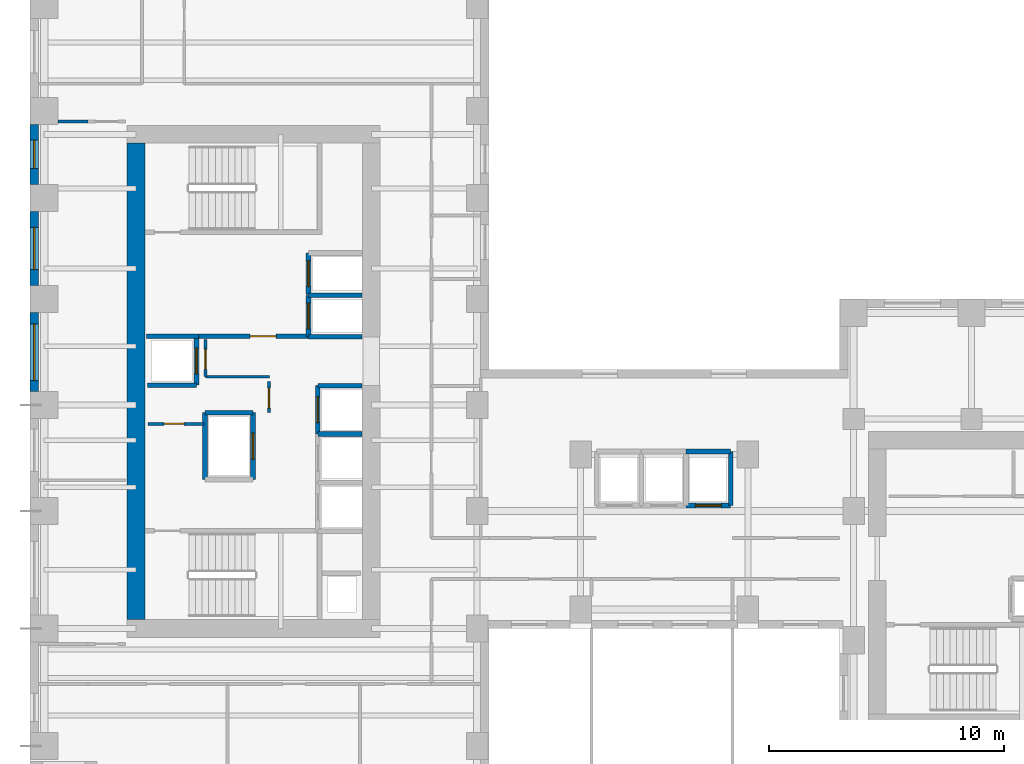
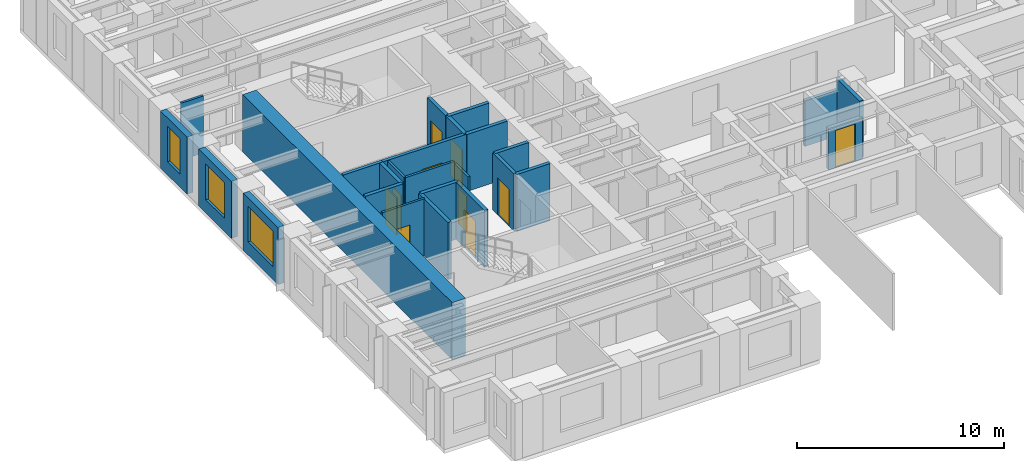
# One storey, part 5 of 11: 26 walls, 10 doors, 3 windows, 13 openings.
"""IFC4 building model written with IfcOpenShell, lengths in metres."""

import ifcopenshell
import ifcopenshell.guid

model = None  # the IFC model being written
_history = None  # IfcOwnerHistory: only IFC2X3 demands one
_inside = {}  # id of a spatial element -> (the spatial element, [elements in it])
_under = {}  # id of a project, library or spatial element -> (it, [spatial elements below it])
_declared = {}  # id of a project -> (the project, [libraries it declares])
_typed = {}  # id of a type object -> (the type object, [elements of that type])
_made_of = {}  # id of a material, layer set ... -> (it, [elements and type objects made of it])


def new_model(schema):
    """Start an empty IFC model of exactly this schema.

    Asked for "IFC4X3", IfcOpenShell would pick the latest addendum, in which some entities
    have other attributes; the version numbers below select the first issue.
    IFC2X3 requires an IfcOwnerHistory on every rooted entity: one is made here for all.
    """
    global model, _history
    if schema == "IFC4X3":
        model = ifcopenshell.file(schema_version=(4, 3, 0, 0))
    else:
        model = ifcopenshell.file(schema=schema)
    _inside.clear()
    _under.clear()
    _declared.clear()
    _typed.clear()
    _made_of.clear()
    _history = None
    if model.schema == "IFC2X3":
        org = make("IfcOrganization", Name="unknown")
        user = make(
            "IfcPersonAndOrganization",
            ThePerson=make("IfcPerson", FamilyName="unknown"),
            TheOrganization=org,
        )
        app = make(
            "IfcApplication",
            ApplicationDeveloper=org,
            Version="unknown",
            ApplicationFullName="unknown",
            ApplicationIdentifier="unknown",
        )
        _history = make(
            "IfcOwnerHistory",
            OwningUser=user,
            OwningApplication=app,
            ChangeAction="ADDED",
            CreationDate=0,
        )
    return model


def make(cls, **values):
    """One entity of the class cls with the attributes given. An attribute that is None is left unset."""
    return model.create_entity(
        cls, **{name: value for name, value in values.items() if value is not None}
    )


def rooted(cls, **values):
    """An entity with a GlobalId (a new one), such as an element, a storey or a relation."""
    return make(cls, GlobalId=ifcopenshell.guid.new(), OwnerHistory=_history, **values)


def si_unit(unit_type, name, prefix=None):
    """IfcSIUnit, for example si_unit("LENGTHUNIT", "METRE", prefix="MILLI")."""
    return make("IfcSIUnit", UnitType=unit_type, Prefix=prefix, Name=name)


def assignment(units):
    """IfcUnitAssignment: the units of a project."""
    return None if units is None else make("IfcUnitAssignment", Units=units)


def point(xyz):
    """IfcCartesianPoint."""
    return None if xyz is None else make("IfcCartesianPoint", Coordinates=xyz)


def direction(xyz):
    """IfcDirection."""
    return None if xyz is None else make("IfcDirection", DirectionRatios=xyz)


def frame(location, z_axis=None, x_axis=None):
    """IfcAxis2Placement3D, a coordinate frame: its origin and axes. An axis left out is left unset."""
    return make(
        "IfcAxis2Placement3D",
        Location=point(location),
        Axis=direction(z_axis),
        RefDirection=direction(x_axis),
    )


def frame_2d(location, x_axis=None):
    """IfcAxis2Placement2D, a coordinate frame in the plane: its origin and x axis."""
    return make(
        "IfcAxis2Placement2D", Location=point(location), RefDirection=direction(x_axis)
    )


def origin():
    """The frame at (0, 0, 0) with its axes left unset."""
    return frame((0.0, 0.0, 0.0))


def place(relative_to, where):
    """IfcLocalPlacement: puts the frame where relative to a parent placement (None: the world)."""
    return make(
        "IfcLocalPlacement", PlacementRelTo=relative_to, RelativePlacement=where
    )


def context(
    kind, dimensions, precision=None, world=None, true_north=None, identifier=None
):
    """IfcGeometricRepresentationContext, for example the 3D "Model" context."""
    return make(
        "IfcGeometricRepresentationContext",
        ContextIdentifier=identifier,
        ContextType=kind,
        CoordinateSpaceDimension=dimensions,
        Precision=precision,
        WorldCoordinateSystem=world,
        TrueNorth=true_north,
    )


def subcontext(parent, identifier, kind, view, scale=None):
    """IfcGeometricRepresentationSubContext, for example "Body" below "Model"."""
    return make(
        "IfcGeometricRepresentationSubContext",
        ContextIdentifier=identifier,
        ContextType=kind,
        ParentContext=parent,
        TargetScale=scale,
        TargetView=view,
    )


def project(units=None, contexts=None):
    """IfcProject with its units and contexts."""
    return rooted(
        "IfcProject",
        Name="project",
        RepresentationContexts=contexts,
        UnitsInContext=assignment(units),
    )


def spatial(cls, under=None, at=None, **own):
    """A site, building, storey or space (cls), placed at a placement, below another one or the project."""
    s = rooted(cls, ObjectPlacement=at, **own)
    if under is not None:
        _under.setdefault(under.id(), (under, []))[1].append(s)
    return s


def profile(cls, at=None, kind="AREA", **sizes):
    """A parametric profile (cls). Its sizes go by their IFC names, for example OverallWidth=200.0."""
    return make(cls, ProfileType=kind, Position=at, **sizes)


def rectangle(**sizes):
    """IfcRectangleProfileDef."""
    return profile("IfcRectangleProfileDef", **sizes)


def extrude(swept, where, along, depth):
    """IfcExtrudedAreaSolid: the profile swept, set in the frame where, extruded along a direction by depth."""
    return make(
        "IfcExtrudedAreaSolid",
        SweptArea=swept,
        Position=where,
        ExtrudedDirection=direction(along),
        Depth=depth,
    )


def shape(context_of_items, identifier, shape_type, items):
    """IfcShapeRepresentation: the items that make up one representation, for example the "Body"."""
    return make(
        "IfcShapeRepresentation",
        ContextOfItems=context_of_items,
        RepresentationIdentifier=identifier,
        RepresentationType=shape_type,
        Items=items,
    )


def source(mapping_origin, context_of_items, identifier, shape_type, items):
    """IfcRepresentationMap: a shape defined once, which mapped items show again and again."""
    return make(
        "IfcRepresentationMap",
        MappingOrigin=mapping_origin,
        MappedRepresentation=shape(context_of_items, identifier, shape_type, items),
    )


def transform(
    local_origin,
    x_axis=None,
    y_axis=None,
    z_axis=None,
    scale=None,
    scale2=None,
    scale3=None,
    uniform=True,
):
    """IfcCartesianTransformationOperator3D, or its non-uniform kind. x_axis, y_axis, z_axis: its Axis1, 2, 3."""
    if uniform:
        return make(
            "IfcCartesianTransformationOperator3D",
            Axis1=direction(x_axis),
            Axis2=direction(y_axis),
            LocalOrigin=point(local_origin),
            Scale=scale,
            Axis3=direction(z_axis),
        )
    return make(
        "IfcCartesianTransformationOperator3DnonUniform",
        Axis1=direction(x_axis),
        Axis2=direction(y_axis),
        LocalOrigin=point(local_origin),
        Scale=scale,
        Axis3=direction(z_axis),
        Scale2=scale2,
        Scale3=scale3,
    )


def mapped(mapping_source, mapping_target):
    """IfcMappedItem: shows the shape of a source again, moved by a transform."""
    return make(
        "IfcMappedItem", MappingSource=mapping_source, MappingTarget=mapping_target
    )


def material(Name=None, Category=None):
    """IfcMaterial."""
    return make("IfcMaterial", Name=Name, Category=Category)


def layer(
    of_material, thickness, ventilated=None, Name=None, Category=None, Priority=None
):
    """IfcMaterialLayer: one layer of a wall or slab, of a material (None: an air gap)."""
    return make(
        "IfcMaterialLayer",
        Material=of_material,
        LayerThickness=thickness,
        IsVentilated=ventilated,
        Name=Name,
        Category=Category,
        Priority=Priority,
    )


def layer_set(layers, Name=None):
    """IfcMaterialLayerSet."""
    return make("IfcMaterialLayerSet", MaterialLayers=layers, LayerSetName=Name)


def made_of(thing, what):
    """Note that an element or type object is made of a material, layer set ...; save() writes the relation."""
    if what is not None:
        _made_of.setdefault(what.id(), (what, []))[1].append(thing)
    return thing


def type_object(cls, material=None, **own):
    """A type object (cls), such as IfcWallType, which elements share."""
    return made_of(rooted(cls, **own), material)


def element(
    cls,
    number,
    at=None,
    inside=None,
    cuts=None,
    type_object=None,
    material=None,
    context=None,
    identifier="Body",
    shape_type=None,
    held_by="IfcProductDefinitionShape",
    body=None,
    shapes=None,
    **own,
):
    """One element of the class cls, such as IfcWall. Its Tag is "e" and its number.

    at: its placement. inside: the storey or other place that contains it. cuts: it is an
    opening in that element (IfcRelVoidsElement). A single representation is given by context,
    identifier, shape_type and body (its items); several are given by shapes. held_by: the class
    of the entity that holds the representations. save() writes the other relations.
    """
    e = rooted(cls, Tag="e%d" % number, ObjectPlacement=at, **own)
    if body is not None:
        shapes = [shape(context, identifier, shape_type, body)]
    if shapes is not None:
        e.Representation = make(held_by, Representations=shapes)
    if inside is not None:
        _inside.setdefault(inside.id(), (inside, []))[1].append(e)
    if cuts is not None:
        rooted(
            "IfcRelVoidsElement", RelatingBuildingElement=cuts, RelatedOpeningElement=e
        )
    if type_object is not None:
        _typed.setdefault(type_object.id(), (type_object, []))[1].append(e)
    return made_of(e, material)


def fill(opening, filler):
    """IfcRelFillsElement: the door or window that sits in an opening."""
    return rooted(
        "IfcRelFillsElement",
        RelatingOpeningElement=opening,
        RelatedBuildingElement=filler,
    )


def aggregate(whole, parts):
    """IfcRelAggregates: a whole, such as a stair, and the parts it consists of."""
    return rooted("IfcRelAggregates", RelatingObject=whole, RelatedObjects=parts)


def save(model, path):
    """Write the relations noted so far, then the file.

    IfcRelAggregates (storeys below a building ...), IfcRelContainedInSpatialStructure (elements
    in a storey), IfcRelDefinesByType, IfcRelAssociatesMaterial and IfcRelDeclares: one each for
    every whole, place, type object, material and project.
    """
    for whole, parts in _under.values():
        aggregate(whole, parts)
    for where, things in _inside.values():
        rooted(
            "IfcRelContainedInSpatialStructure",
            RelatedElements=things,
            RelatingStructure=where,
        )
    for kind, things in _typed.values():
        rooted("IfcRelDefinesByType", RelatedObjects=things, RelatingType=kind)
    for what, things in _made_of.values():
        rooted("IfcRelAssociatesMaterial", RelatedObjects=things, RelatingMaterial=what)
    for by, libraries in _declared.values():
        rooted("IfcRelDeclares", RelatingContext=by, RelatedDefinitions=libraries)
    model.write(path)


model = new_model("IFC4")

# Units and contexts
model_context = context("Model", 3, precision=1e-05, world=origin(), true_north=direction((0.0, 1.0)))
body_context = subcontext(model_context, "Body", "Model", "MODEL_VIEW")
ifc_project = project(units=[si_unit("LENGTHUNIT", "METRE"), si_unit("AREAUNIT", "SQUARE_METRE"), si_unit("VOLUMEUNIT", "CUBIC_METRE"), si_unit("PLANEANGLEUNIT", "RADIAN"), si_unit("MASSUNIT", "GRAM", prefix="KILO")], contexts=[model_context])

# Site, building, storey
site_placement = place(None, origin())
site = spatial("IfcSite", under=ifc_project, at=site_placement, CompositionType="ELEMENT")
building_placement = place(site_placement, origin())
building = spatial("IfcBuilding", under=site, at=building_placement, Name="Kharzan Plaza Tower", CompositionType="ELEMENT")
storey_placement = place(building_placement, frame((0.0, 0.0, 120.60009765625)))
storey = spatial("IfcBuildingStorey", under=building, at=storey_placement, Name="L32", CompositionType="ELEMENT", Elevation=120.60009765625)

# Wall, opening, window
ifc_material_1 = material(Name="Concrete C40/50", Category="concrete")
ifc_layer_1 = layer(ifc_material_1, 0.35009765625)
ifc_layer_set_1 = layer_set([ifc_layer_1], Name="Concrete C40/50")
wall_type_1 = type_object("IfcWallType", Name="WL-EXT-MAS-Z2", PredefinedType="SOLIDWALL", material=ifc_layer_set_1)
wall_1_placement = place(storey_placement, frame((0.175048828125, 29.927001953125, 0.0), z_axis=(0.0, 0.0, 1.0), x_axis=(0.0, -1.0, 0.0)))
wall_1 = element("IfcWall", 1, at=wall_1_placement, inside=storey, type_object=wall_type_1, Name="L32 Masonry-Frame Exterior Wall 20", PredefinedType="SOLIDWALL", context=body_context, shape_type="SweptSolid", body=[
    extrude(rectangle(XDim=2.553955078125, YDim=0.35009765625, at=frame_2d((1.27685546875, 0.0))), origin(), (0.0, 0.0, 1.0), 3.364990234375),
])
opening_1_placement = place(wall_1_placement, frame((0.677001953125, 0.0, 0.780029296875)))
opening_1 = element("IfcOpeningElement", 2, at=opening_1_placement, cuts=wall_1, Name="Opening W3", PredefinedType="OPENING", context=body_context, shape_type="SweptSolid", body=[
    extrude(rectangle(XDim=1.199951171875, YDim=2.10009765625, at=frame_2d((0.60009765625, 1.050048828125))), frame((0.0, 0.18505859375, 0.0), z_axis=(0.0, -1.0, 0.0), x_axis=(1.0, 0.0, 0.0)), (0.0, 0.0, 1.0), 0.3701171875),
])
ifc_material_2 = material(Name="Low-E Double Glazing", Category="glass")
window_type_1 = type_object("IfcWindowType", Name="WN-REC-1200x2100", PartitioningType="SINGLE_PANEL", PredefinedType="WINDOW", material=ifc_material_2)
shared_shape_1 = source(origin(), body_context, "Body", "SweptSolid", [
    extrude(rectangle(XDim=1.199951171875, YDim=2.10009765625, at=frame_2d((0.60009765625, 1.050048828125))), frame((0.0, 0.030029296875, 0.0), z_axis=(0.0, -1.0, 0.0), x_axis=(1.0, 0.0, 0.0)), (0.0, 0.0, 1.0), 0.06005859375),
])
window_1_placement = place(opening_1_placement, origin())
window_1 = element("IfcWindow", 3, at=window_1_placement, inside=storey, type_object=window_type_1, Name="L32 Recessed Solar-Control Window 20-1", OverallHeight=2.10009765625, OverallWidth=1.199951171875, PartitioningType="SINGLE_PANEL", PredefinedType="WINDOW", context=body_context, shape_type="MappedRepresentation", body=[
    mapped(shared_shape_1, transform((0.0, 0.0, 0.0), x_axis=(1.0, 0.0, 0.0), y_axis=(0.0, 1.0, 0.0), z_axis=(0.0, 0.0, 1.0))),
])
fill(opening_1, window_1)

wall_2_placement = place(storey_placement, frame((0.175048828125, 26.22705078125, 0.0), z_axis=(0.0, 0.0, 1.0), x_axis=(0.0, -1.0, 0.0)))
wall_2 = element("IfcWall", 4, at=wall_2_placement, inside=storey, type_object=wall_type_1, Name="L32 Masonry-Frame Exterior Wall 21", PredefinedType="SOLIDWALL", context=body_context, shape_type="SweptSolid", body=[
    extrude(rectangle(XDim=3.154052734375, YDim=0.35009765625, at=frame_2d((1.5771484375, 0.0))), origin(), (0.0, 0.0, 1.0), 3.364990234375),
])
opening_2_placement = place(wall_2_placement, frame((0.677001953125, 0.0, 0.780029296875)))
opening_2 = element("IfcOpeningElement", 5, at=opening_2_placement, cuts=wall_2, Name="Opening W1", PredefinedType="OPENING", context=body_context, shape_type="SweptSolid", body=[
    extrude(rectangle(XDim=1.800048828125, YDim=2.10009765625, at=frame_2d((0.89990234375, 1.050048828125))), frame((0.0, 0.18505859375, 0.0), z_axis=(0.0, -1.0, 0.0), x_axis=(1.0, 0.0, 0.0)), (0.0, 0.0, 1.0), 0.3701171875),
])
window_type_2 = type_object("IfcWindowType", Name="WN-REC-1800x2100", PartitioningType="SINGLE_PANEL", PredefinedType="WINDOW", material=ifc_material_2)
shared_shape_2 = source(origin(), body_context, "Body", "SweptSolid", [
    extrude(rectangle(XDim=1.800048828125, YDim=2.10009765625, at=frame_2d((0.89990234375, 1.050048828125))), frame((0.0, 0.030029296875, 0.0), z_axis=(0.0, -1.0, 0.0), x_axis=(1.0, 0.0, 0.0)), (0.0, 0.0, 1.0), 0.06005859375),
])
window_2_placement = place(opening_2_placement, origin())
window_2 = element("IfcWindow", 6, at=window_2_placement, inside=storey, type_object=window_type_2, Name="L32 Recessed Solar-Control Window 21-1", OverallHeight=2.10009765625, OverallWidth=1.800048828125, PartitioningType="SINGLE_PANEL", PredefinedType="WINDOW", context=body_context, shape_type="MappedRepresentation", body=[
    mapped(shared_shape_2, transform((0.0, 0.0, 0.0), x_axis=(1.0, 0.0, 0.0), y_axis=(0.0, 1.0, 0.0), z_axis=(0.0, 0.0, 1.0))),
])
fill(opening_2, window_2)

wall_3_placement = place(storey_placement, frame((0.175048828125, 21.927001953125, 0.0), z_axis=(0.0, 0.0, 1.0), x_axis=(0.0, -1.0, 0.0)))
wall_3 = element("IfcWall", 7, at=wall_3_placement, inside=storey, type_object=wall_type_1, Name="L32 Masonry-Frame Exterior Wall 22", PredefinedType="SOLIDWALL", context=body_context, shape_type="SweptSolid", body=[
    extrude(rectangle(XDim=3.35400390625, YDim=0.35009765625, at=frame_2d((1.677001953125, 0.0))), origin(), (0.0, 0.0, 1.0), 3.364990234375),
])
opening_3_placement = place(wall_3_placement, frame((0.47705078125, 0.0, 0.780029296875)))
opening_3 = element("IfcOpeningElement", 8, at=opening_3_placement, cuts=wall_3, Name="Opening W2", PredefinedType="OPENING", context=body_context, shape_type="SweptSolid", body=[
    extrude(rectangle(XDim=2.39990234375, YDim=2.10009765625, at=frame_2d((1.199951171875, 1.050048828125))), frame((0.0, 0.18505859375, 0.0), z_axis=(0.0, -1.0, 0.0), x_axis=(1.0, 0.0, 0.0)), (0.0, 0.0, 1.0), 0.3701171875),
])
window_type_3 = type_object("IfcWindowType", Name="WN-REC-2400x2100", PartitioningType="SINGLE_PANEL", PredefinedType="WINDOW", material=ifc_material_2)
shared_shape_3 = source(origin(), body_context, "Body", "SweptSolid", [
    extrude(rectangle(XDim=2.39990234375, YDim=2.10009765625, at=frame_2d((1.199951171875, 1.050048828125))), frame((0.0, 0.030029296875, 0.0), z_axis=(0.0, -1.0, 0.0), x_axis=(1.0, 0.0, 0.0)), (0.0, 0.0, 1.0), 0.06005859375),
])
window_3_placement = place(opening_3_placement, origin())
window_3 = element("IfcWindow", 9, at=window_3_placement, inside=storey, type_object=window_type_3, Name="L32 Wide Recessed Solar-Control Window 22-1", OverallHeight=2.10009765625, OverallWidth=2.39990234375, PartitioningType="SINGLE_PANEL", PredefinedType="WINDOW", context=body_context, shape_type="MappedRepresentation", body=[
    mapped(shared_shape_3, transform((0.0, 0.0, 0.0), x_axis=(1.0, 0.0, 0.0), y_axis=(0.0, 1.0, 0.0), z_axis=(0.0, 0.0, 1.0))),
])
fill(opening_3, window_3)

# Wall, opening, door
ifc_layer_2 = layer(ifc_material_1, 0.179931640625)
ifc_layer_set_2 = layer_set([ifc_layer_2], Name="Concrete C40/50")
wall_type_2 = type_object("IfcWallType", Name="WL-INT-FIRE-180", PredefinedType="PARTITIONING", material=ifc_layer_set_2)
wall_4_placement = place(storey_placement, frame((7.14990234375, 20.919921875, 0.0), z_axis=(0.0, 0.0, 1.0), x_axis=(1.0, 0.0, 0.0)))
wall_4 = element("IfcWall", 10, at=wall_4_placement, inside=storey, type_object=wall_type_2, Name="L32 Interior Partition CA-FF-S", PredefinedType="PARTITIONING", context=body_context, shape_type="SweptSolid", body=[
    extrude(rectangle(XDim=4.68017578125, YDim=0.179931640625, at=frame_2d((2.340087890625, 0.0))), origin(), (0.0, 0.0, 1.0), 3.364990234375),
])
opening_4_placement = place(wall_4_placement, frame((2.199951171875, 0.0, 0.0)))
opening_4 = element("IfcOpeningElement", 11, at=opening_4_placement, cuts=wall_4, Name="Opening FD1", PredefinedType="OPENING", context=body_context, shape_type="SweptSolid", body=[
    extrude(rectangle(XDim=1.10009765625, YDim=2.14990234375, at=frame_2d((0.550048828125, 1.074951171875))), frame((0.0, 0.099853515625, 0.0), z_axis=(0.0, -1.0, 0.0), x_axis=(1.0, 0.0, 0.0)), (0.0, 0.0, 1.0), 0.199951171875),
])
ifc_material_3 = material(Name="Fire-Rated Acoustic Vision-Panel Steel", Category="steel")
door_type_1 = type_object("IfcDoorType", Name="DR-FIRE-LOBBY", OperationType="NOTDEFINED", PredefinedType="DOOR", material=ifc_material_3)
shared_shape_4 = source(origin(), body_context, "Body", "SweptSolid", [
    extrude(rectangle(XDim=1.10009765625, YDim=2.14990234375, at=frame_2d((0.550048828125, 1.074951171875))), frame((0.0, 0.02490234375, 0.0), z_axis=(0.0, -1.0, 0.0), x_axis=(1.0, 0.0, 0.0)), (0.0, 0.0, 1.0), 0.050048828125),
])
door_1_placement = place(opening_4_placement, origin())
door_1 = element("IfcDoor", 12, at=door_1_placement, inside=storey, type_object=door_type_1, Name="L32 Firefighting Lobby Door", OperationType="SINGLE_SWING_LEFT", OverallHeight=2.14990234375, OverallWidth=1.10009765625, PredefinedType="DOOR", context=body_context, shape_type="MappedRepresentation", body=[
    mapped(shared_shape_4, transform((0.0, 0.0, 0.0), x_axis=(1.0, 0.0, 0.0), y_axis=(0.0, 1.0, 0.0), z_axis=(0.0, 0.0, 1.0))),
])
fill(opening_4, door_1)

ifc_material_4 = material(Name="Fire-Rated Gypsum Board Partition", Category="gypsum")
ifc_layer_3 = layer(ifc_material_4, 0.125)
ifc_layer_set_3 = layer_set([ifc_layer_3], Name="Fire-Rated Gypsum Board Partition")
wall_type_3 = type_object("IfcWallType", Name="WL-INT-PART-125", PredefinedType="PARTITIONING", material=ifc_layer_set_3)
wall_5_placement = place(storey_placement, frame((10.14990234375, 17.679931640625, 0.0), z_axis=(0.0, 0.0, 1.0), x_axis=(0.0, 1.0, 0.0)))
wall_5 = element("IfcWall", 13, at=wall_5_placement, inside=storey, type_object=wall_type_3, Name="L32 Interior Partition CA-K2A", PredefinedType="PARTITIONING", context=body_context, shape_type="SweptSolid", body=[
    extrude(rectangle(XDim=1.320068359375, YDim=0.125, at=frame_2d((0.66015625, 0.0))), origin(), (0.0, 0.0, 1.0), 3.364990234375),
])
opening_5_placement = place(wall_5_placement, frame((0.18505859375, 0.0, 0.0)))
opening_5 = element("IfcOpeningElement", 14, at=opening_5_placement, cuts=wall_5, Name="Opening RD1", PredefinedType="OPENING", context=body_context, shape_type="SweptSolid", body=[
    extrude(rectangle(XDim=0.85009765625, YDim=2.10009765625, at=frame_2d((0.425048828125, 1.050048828125))), frame((0.0, 0.072509765625, 0.0), z_axis=(0.0, -1.0, 0.0), x_axis=(1.0, 0.0, 0.0)), (0.0, 0.0, 1.0), 0.14501953125),
])
ifc_material_5 = material(Name="Powder-Coated Fire-Rated Steel", Category="steel")
door_type_2 = type_object("IfcDoorType", Name="DR-RISER-900", OperationType="NOTDEFINED", PredefinedType="DOOR", material=ifc_material_5)
shared_shape_5 = source(origin(), body_context, "Body", "SweptSolid", [
    extrude(rectangle(XDim=0.85009765625, YDim=2.10009765625, at=frame_2d((0.425048828125, 1.050048828125))), frame((0.0, 0.02490234375, 0.0), z_axis=(0.0, -1.0, 0.0), x_axis=(1.0, 0.0, 0.0)), (0.0, 0.0, 1.0), 0.050048828125),
])
door_2_placement = place(opening_5_placement, origin())
door_2 = element("IfcDoor", 15, at=door_2_placement, inside=storey, type_object=door_type_2, Name="L32 Core Mechanical Store Door", OperationType="SINGLE_SWING_RIGHT", OverallHeight=2.10009765625, OverallWidth=0.85009765625, PredefinedType="DOOR", context=body_context, shape_type="MappedRepresentation", body=[
    mapped(shared_shape_5, transform((0.0, 0.0, 0.0), x_axis=(1.0, 0.0, 0.0), y_axis=(0.0, 1.0, 0.0), z_axis=(0.0, 0.0, 1.0))),
])
fill(opening_5, door_2)

wall_6_placement = place(storey_placement, frame((7.449951171875, 19.199951171875, 0.0), z_axis=(0.0, 0.0, 1.0), x_axis=(0.0, 1.0, 0.0)))
wall_6 = element("IfcWall", 16, at=wall_6_placement, inside=storey, type_object=wall_type_3, Name="L32 Interior Partition CA-K2B", PredefinedType="PARTITIONING", context=body_context, shape_type="SweptSolid", body=[
    extrude(rectangle(XDim=1.580078125, YDim=0.125, at=frame_2d((0.7900390625, 0.0))), origin(), (0.0, 0.0, 1.0), 3.364990234375),
])
opening_6_placement = place(wall_6_placement, frame((0.31494140625, 0.0, 0.0)))
opening_6 = element("IfcOpeningElement", 17, at=opening_6_placement, cuts=wall_6, Name="Opening RD1", PredefinedType="OPENING", context=body_context, shape_type="SweptSolid", body=[
    extrude(rectangle(XDim=0.85009765625, YDim=2.10009765625, at=frame_2d((0.425048828125, 1.050048828125))), frame((0.0, 0.072509765625, 0.0), z_axis=(0.0, -1.0, 0.0), x_axis=(1.0, 0.0, 0.0)), (0.0, 0.0, 1.0), 0.14501953125),
])
door_3_placement = place(opening_6_placement, origin())
door_3 = element("IfcDoor", 18, at=door_3_placement, inside=storey, type_object=door_type_2, Name="L32 Core Plant Store Door", OperationType="SINGLE_SWING_LEFT", OverallHeight=2.10009765625, OverallWidth=0.85009765625, PredefinedType="DOOR", context=body_context, shape_type="MappedRepresentation", body=[
    mapped(shared_shape_5, transform((0.0, 0.0, 0.0), x_axis=(1.0, 0.0, 0.0), y_axis=(0.0, 1.0, 0.0), z_axis=(0.0, 0.0, 1.0))),
])
fill(opening_6, door_3)

wall_7_placement = place(storey_placement, frame((5.0, 17.199951171875, 0.0), z_axis=(0.0, 0.0, 1.0), x_axis=(1.0, 0.0, 0.0)))
wall_7 = element("IfcWall", 19, at=wall_7_placement, inside=storey, type_object=wall_type_3, Name="L32 Interior Partition CA-K2N0", PredefinedType="PARTITIONING", context=body_context, shape_type="SweptSolid", body=[
    extrude(rectangle(XDim=2.39990234375, YDim=0.125, at=frame_2d((1.199951171875, 0.0))), origin(), (0.0, 0.0, 1.0), 3.364990234375),
])
opening_7_placement = place(wall_7_placement, frame((0.699951171875, 0.0, 0.0)))
opening_7 = element("IfcOpeningElement", 20, at=opening_7_placement, cuts=wall_7, Name="Opening RD1", PredefinedType="OPENING", context=body_context, shape_type="SweptSolid", body=[
    extrude(rectangle(XDim=0.85009765625, YDim=2.10009765625, at=frame_2d((0.425048828125, 1.050048828125))), frame((0.0, 0.072509765625, 0.0), z_axis=(0.0, -1.0, 0.0), x_axis=(1.0, 0.0, 0.0)), (0.0, 0.0, 1.0), 0.14501953125),
])
door_4_placement = place(opening_7_placement, origin())
door_4 = element("IfcDoor", 21, at=door_4_placement, inside=storey, type_object=door_type_2, Name="L32 Core Electrical Store Door", OperationType="SINGLE_SWING_LEFT", OverallHeight=2.10009765625, OverallWidth=0.85009765625, PredefinedType="DOOR", context=body_context, shape_type="MappedRepresentation", body=[
    mapped(shared_shape_5, transform((0.0, 0.0, 0.0), x_axis=(1.0, 0.0, 0.0), y_axis=(0.0, 1.0, 0.0), z_axis=(0.0, 0.0, 1.0))),
])
fill(opening_7, door_4)

ifc_layer_4 = layer(ifc_material_1, 0.199951171875)
ifc_layer_set_4 = layer_set([ifc_layer_4], Name="Concrete C40/50")
wall_type_4 = type_object("IfcWallType", Name="WL-INT-SHAFT-200", PredefinedType="PARTITIONING", material=ifc_layer_set_4)
wall_8_placement = place(storey_placement, frame((11.830078125, 20.89990234375, 0.0), z_axis=(0.0, 0.0, 1.0), x_axis=(0.0, 1.0, 0.0)))
wall_8 = element("IfcWall", 22, at=wall_8_placement, inside=storey, type_object=wall_type_4, Name="L32 Interior Partition SHF-FFL-1-W", PredefinedType="PARTITIONING", context=body_context, shape_type="SweptSolid", body=[
    extrude(rectangle(XDim=1.760009765625, YDim=0.199951171875, at=frame_2d((0.8798828125, 0.0))), origin(), (0.0, 0.0, 1.0), 3.364990234375),
])
opening_8_placement = place(wall_8_placement, frame((0.330078125, 0.0, 0.0)))
opening_8 = element("IfcOpeningElement", 23, at=opening_8_placement, cuts=wall_8, Name="Opening LD", PredefinedType="OPENING", context=body_context, shape_type="SweptSolid", body=[
    extrude(rectangle(XDim=1.10009765625, YDim=2.199951171875, at=frame_2d((0.550048828125, 1.10009765625))), frame((0.0, 0.10986328125, 0.0), z_axis=(0.0, -1.0, 0.0), x_axis=(1.0, 0.0, 0.0)), (0.0, 0.0, 1.0), 0.219970703125),
])
ifc_material_6 = material(Name="Brushed Stainless Steel", Category="steel")
door_type_3 = type_object("IfcDoorType", Name="DR-LIFT-SLIDE", OperationType="SLIDING_TO_LEFT", PredefinedType="DOOR", material=ifc_material_6)
shared_shape_6 = source(origin(), body_context, "Body", "SweptSolid", [
    extrude(rectangle(XDim=1.10009765625, YDim=2.199951171875, at=frame_2d((0.550048828125, 1.10009765625))), frame((0.0, 0.02490234375, 0.0), z_axis=(0.0, -1.0, 0.0), x_axis=(1.0, 0.0, 0.0)), (0.0, 0.0, 1.0), 0.050048828125),
])
door_5_placement = place(opening_8_placement, origin())
door_5 = element("IfcDoor", 24, at=door_5_placement, inside=storey, type_object=door_type_3, Name="L32 Firefighting Lift FFL-1 Sliding Landing Door", OperationType="SLIDING_TO_LEFT", OverallHeight=2.199951171875, OverallWidth=1.10009765625, PredefinedType="DOOR", context=body_context, shape_type="MappedRepresentation", body=[
    mapped(shared_shape_6, transform((0.0, 0.0, 0.0), x_axis=(1.0, 0.0, 0.0), y_axis=(0.0, 1.0, 0.0), z_axis=(0.0, 0.0, 1.0))),
])
fill(opening_8, door_5)

wall_9_placement = place(storey_placement, frame((11.830078125, 22.699951171875, 0.0), z_axis=(0.0, 0.0, 1.0), x_axis=(0.0, 1.0, 0.0)))
wall_9 = element("IfcWall", 25, at=wall_9_placement, inside=storey, type_object=wall_type_4, Name="L32 Interior Partition SHF-FFL-2-W", PredefinedType="PARTITIONING", context=body_context, shape_type="SweptSolid", body=[
    extrude(rectangle(XDim=1.760009765625, YDim=0.199951171875, at=frame_2d((0.8798828125, 0.0))), origin(), (0.0, 0.0, 1.0), 3.364990234375),
])
opening_9_placement = place(wall_9_placement, frame((0.330078125, 0.0, 0.0)))
opening_9 = element("IfcOpeningElement", 26, at=opening_9_placement, cuts=wall_9, Name="Opening LD", PredefinedType="OPENING", context=body_context, shape_type="SweptSolid", body=[
    extrude(rectangle(XDim=1.10009765625, YDim=2.199951171875, at=frame_2d((0.550048828125, 1.10009765625))), frame((0.0, 0.10986328125, 0.0), z_axis=(0.0, -1.0, 0.0), x_axis=(1.0, 0.0, 0.0)), (0.0, 0.0, 1.0), 0.219970703125),
])
door_6_placement = place(opening_9_placement, origin())
door_6 = element("IfcDoor", 27, at=door_6_placement, inside=storey, type_object=door_type_3, Name="L32 Firefighting Lift FFL-2 Sliding Landing Door", OperationType="SLIDING_TO_LEFT", OverallHeight=2.199951171875, OverallWidth=1.10009765625, PredefinedType="DOOR", context=body_context, shape_type="MappedRepresentation", body=[
    mapped(shared_shape_6, transform((0.0, 0.0, 0.0), x_axis=(1.0, 0.0, 0.0), y_axis=(0.0, 1.0, 0.0), z_axis=(0.0, 0.0, 1.0))),
])
fill(opening_9, door_6)

wall_10_placement = place(storey_placement, frame((12.22998046875, 16.77001953125, 0.0), z_axis=(0.0, 0.0, 1.0), x_axis=(0.0, 1.0, 0.0)))
wall_10 = element("IfcWall", 28, at=wall_10_placement, inside=storey, type_object=wall_type_4, Name="L32 Interior Partition SHF-PL-H3-W", PredefinedType="PARTITIONING", context=body_context, shape_type="SweptSolid", body=[
    extrude(rectangle(XDim=2.050048828125, YDim=0.199951171875, at=frame_2d((1.02490234375, 0.0))), origin(), (0.0, 0.0, 1.0), 3.364990234375),
])
opening_10_placement = place(wall_10_placement, frame((0.47509765625, 0.0, 0.0)))
opening_10 = element("IfcOpeningElement", 29, at=opening_10_placement, cuts=wall_10, Name="Opening LD", PredefinedType="OPENING", context=body_context, shape_type="SweptSolid", body=[
    extrude(rectangle(XDim=1.10009765625, YDim=2.199951171875, at=frame_2d((0.550048828125, 1.10009765625))), frame((0.0, 0.10986328125, 0.0), z_axis=(0.0, -1.0, 0.0), x_axis=(1.0, 0.0, 0.0)), (0.0, 0.0, 1.0), 0.219970703125),
])
door_7_placement = place(opening_10_placement, origin())
door_7 = element("IfcDoor", 30, at=door_7_placement, inside=storey, type_object=door_type_3, Name="L32 High-Rise Passenger Lift PL-H3 Sliding Landing Door", OperationType="SLIDING_TO_LEFT", OverallHeight=2.199951171875, OverallWidth=1.10009765625, PredefinedType="DOOR", context=body_context, shape_type="MappedRepresentation", body=[
    mapped(shared_shape_6, transform((0.0, 0.0, 0.0), x_axis=(1.0, 0.0, 0.0), y_axis=(0.0, 1.0, 0.0), z_axis=(0.0, 0.0, 1.0))),
])
fill(opening_10, door_7)

wall_11_placement = place(storey_placement, frame((7.070068359375, 18.840087890625, 0.0), z_axis=(0.0, 0.0, 1.0), x_axis=(0.0, 1.0, 0.0)))
wall_11 = element("IfcWall", 31, at=wall_11_placement, inside=storey, type_object=wall_type_4, Name="L32 Interior Partition SHF-PL-H4-E", PredefinedType="PARTITIONING", context=body_context, shape_type="SweptSolid", body=[
    extrude(rectangle(XDim=2.059814453125, YDim=0.199951171875, at=frame_2d((1.02978515625, 0.0))), origin(), (0.0, 0.0, 1.0), 3.364990234375),
])
opening_11_placement = place(wall_11_placement, frame((0.47998046875, 0.0, 0.0)))
opening_11 = element("IfcOpeningElement", 32, at=opening_11_placement, cuts=wall_11, Name="Opening LD", PredefinedType="OPENING", context=body_context, shape_type="SweptSolid", body=[
    extrude(rectangle(XDim=1.10009765625, YDim=2.199951171875, at=frame_2d((0.550048828125, 1.10009765625))), frame((0.0, 0.10986328125, 0.0), z_axis=(0.0, -1.0, 0.0), x_axis=(1.0, 0.0, 0.0)), (0.0, 0.0, 1.0), 0.219970703125),
])
door_8_placement = place(opening_11_placement, origin())
door_8 = element("IfcDoor", 33, at=door_8_placement, inside=storey, type_object=door_type_3, Name="L32 High-Rise Passenger Lift PL-H4 Sliding Landing Door", OperationType="SLIDING_TO_LEFT", OverallHeight=2.199951171875, OverallWidth=1.10009765625, PredefinedType="DOOR", context=body_context, shape_type="MappedRepresentation", body=[
    mapped(shared_shape_6, transform((0.0, 0.0, 0.0), x_axis=(1.0, 0.0, 0.0), y_axis=(0.0, 1.0, 0.0), z_axis=(0.0, 0.0, 1.0))),
])
fill(opening_11, door_8)

wall_12_placement = place(storey_placement, frame((27.8798828125, 13.72998046875, 0.0), z_axis=(0.0, 0.0, 1.0), x_axis=(1.0, 0.0, 0.0)))
wall_12 = element("IfcWall", 34, at=wall_12_placement, inside=storey, type_object=wall_type_4, Name="L32 Interior Partition SHF-PL-M3-S", PredefinedType="PARTITIONING", context=body_context, shape_type="SweptSolid", body=[
    extrude(rectangle(XDim=1.89013671875, YDim=0.199951171875, at=frame_2d((0.945068359375, 0.0))), origin(), (0.0, 0.0, 1.0), 2.44580078125),
])
opening_12_placement = place(wall_12_placement, frame((0.39501953125, 0.0, 0.0)))
opening_12 = element("IfcOpeningElement", 35, at=opening_12_placement, cuts=wall_12, Name="Opening LD", PredefinedType="OPENING", context=body_context, shape_type="SweptSolid", body=[
    extrude(rectangle(XDim=1.10009765625, YDim=2.199951171875, at=frame_2d((0.550048828125, 1.10009765625))), frame((0.0, 0.10986328125, 0.0), z_axis=(0.0, -1.0, 0.0), x_axis=(1.0, 0.0, 0.0)), (0.0, 0.0, 1.0), 0.219970703125),
])
door_9_placement = place(opening_12_placement, origin())
door_9 = element("IfcDoor", 36, at=door_9_placement, inside=storey, type_object=door_type_3, Name="L32 Mid-Rise Passenger Lift PL-M3 Sliding Landing Door", OperationType="SLIDING_TO_LEFT", OverallHeight=2.199951171875, OverallWidth=1.10009765625, PredefinedType="DOOR", context=body_context, shape_type="MappedRepresentation", body=[
    mapped(shared_shape_6, transform((0.0, 0.0, 0.0), x_axis=(1.0, 0.0, 0.0), y_axis=(0.0, 1.0, 0.0), z_axis=(0.0, 0.0, 1.0))),
])
fill(opening_12, door_9)

wall_13_placement = place(storey_placement, frame((9.469970703125, 14.830078125, 0.0), z_axis=(0.0, 0.0, 1.0), x_axis=(0.0, 1.0, 0.0)))
wall_13 = element("IfcWall", 37, at=wall_13_placement, inside=storey, type_object=wall_type_4, Name="L32 Interior Partition SHF-SVL-1-E", PredefinedType="PARTITIONING", context=body_context, shape_type="SweptSolid", body=[
    extrude(rectangle(XDim=2.83984375, YDim=0.199951171875, at=frame_2d((1.419921875, 0.0))), origin(), (0.0, 0.0, 1.0), 3.364990234375),
])
opening_13_placement = place(wall_13_placement, frame((0.8701171875, 0.0, 0.0)))
opening_13 = element("IfcOpeningElement", 38, at=opening_13_placement, cuts=wall_13, Name="Opening LD", PredefinedType="OPENING", context=body_context, shape_type="SweptSolid", body=[
    extrude(rectangle(XDim=1.10009765625, YDim=2.199951171875, at=frame_2d((0.550048828125, 1.10009765625))), frame((0.0, 0.10986328125, 0.0), z_axis=(0.0, -1.0, 0.0), x_axis=(1.0, 0.0, 0.0)), (0.0, 0.0, 1.0), 0.219970703125),
])
door_10_placement = place(opening_13_placement, origin())
door_10 = element("IfcDoor", 39, at=door_10_placement, inside=storey, type_object=door_type_3, Name="L32 Service Lift SVL-1 Sliding Landing Door", OperationType="SLIDING_TO_LEFT", OverallHeight=2.199951171875, OverallWidth=1.10009765625, PredefinedType="DOOR", context=body_context, shape_type="MappedRepresentation", body=[
    mapped(shared_shape_6, transform((0.0, 0.0, 0.0), x_axis=(1.0, 0.0, 0.0), y_axis=(0.0, 1.0, 0.0), z_axis=(0.0, 0.0, 1.0))),
])
fill(opening_13, door_10)

# Walls
shared_shape_7 = source(origin(), body_context, "Body", "SweptSolid", [
    extrude(rectangle(XDim=2.72998046875, YDim=0.125, at=frame_2d((1.364990234375, 0.0))), origin(), (0.0, 0.0, 1.0), 3.364990234375),
])
wall_14_placement = place(storey_placement, frame((7.449951171875, 19.199951171875, 0.0), z_axis=(0.0, 0.0, 1.0), x_axis=(1.0, 0.0, 0.0)))
element("IfcWall", 40, at=wall_14_placement, inside=storey, type_object=wall_type_3, Name="L32 Interior Partition CA-K2M", PredefinedType="PARTITIONING", context=body_context, shape_type="MappedRepresentation", body=[
    mapped(shared_shape_7, transform((0.0, 0.0, 0.0), x_axis=(1.0, 0.0, 0.0), y_axis=(0.0, 1.0, 0.0), z_axis=(0.0, 0.0, 1.0))),
])
shared_shape_8 = source(origin(), body_context, "Body", "SweptSolid", [
    extrude(rectangle(XDim=2.090087890625, YDim=0.199951171875, at=frame_2d((1.044921875, 0.0))), origin(), (0.0, 0.0, 1.0), 3.364990234375),
])
wall_15_placement = place(storey_placement, frame((4.97998046875, 18.840087890625, 0.0), z_axis=(0.0, 0.0, 1.0), x_axis=(1.0, 0.0, 0.0)))
element("IfcWall", 41, at=wall_15_placement, inside=storey, type_object=wall_type_4, Name="L32 Interior Partition SHF-PL-H4-S", PredefinedType="PARTITIONING", context=body_context, shape_type="MappedRepresentation", body=[
    mapped(shared_shape_8, transform((0.0, 0.0, 0.0), x_axis=(1.0, 0.0, 0.0), y_axis=(0.0, 1.0, 0.0), z_axis=(0.0, 0.0, 1.0))),
])
shared_shape_9 = source(origin(), body_context, "Body", "SweptSolid", [
    extrude(rectangle(XDim=2.2900390625, YDim=0.199951171875, at=frame_2d((1.14501953125, 0.0))), origin(), (0.0, 0.0, 1.0), 3.364990234375),
])
wall_16_placement = place(storey_placement, frame((29.77001953125, 13.72998046875, 0.0), z_axis=(0.0, 0.0, 1.0), x_axis=(0.0, 1.0, 0.0)))
element("IfcWall", 42, at=wall_16_placement, inside=storey, type_object=wall_type_4, Name="L32 Interior Partition SHF-PL-M3-E", PredefinedType="PARTITIONING", context=body_context, shape_type="MappedRepresentation", body=[
    mapped(shared_shape_9, transform((0.0, 0.0, 0.0), x_axis=(1.0, 0.0, 0.0), y_axis=(0.0, 1.0, 0.0), z_axis=(0.0, 0.0, 1.0))),
])
shared_shape_10 = source(origin(), body_context, "Body", "SweptSolid", [
    extrude(rectangle(XDim=2.0400390625, YDim=0.199951171875, at=frame_2d((1.02001953125, 0.0))), origin(), (0.0, 0.0, 1.0), 3.364990234375),
])
wall_17_placement = place(storey_placement, frame((7.429931640625, 17.669921875, 0.0), z_axis=(0.0, 0.0, 1.0), x_axis=(1.0, 0.0, 0.0)))
element("IfcWall", 43, at=wall_17_placement, inside=storey, type_object=wall_type_4, Name="L32 Interior Partition SHF-SVL-1-N", PredefinedType="PARTITIONING", context=body_context, shape_type="MappedRepresentation", body=[
    mapped(shared_shape_10, transform((0.0, 0.0, 0.0), x_axis=(1.0, 0.0, 0.0), y_axis=(0.0, 1.0, 0.0), z_axis=(0.0, 0.0, 1.0))),
])
shared_shape_11 = source(origin(), body_context, "Body", "SweptSolid", [
    extrude(rectangle(XDim=2.83984375, YDim=0.199951171875, at=frame_2d((1.419921875, 0.0))), origin(), (0.0, 0.0, 1.0), 3.364990234375),
])
wall_18_placement = place(storey_placement, frame((7.429931640625, 14.830078125, 0.0), z_axis=(0.0, 0.0, 1.0), x_axis=(0.0, 1.0, 0.0)))
element("IfcWall", 44, at=wall_18_placement, inside=storey, type_object=wall_type_4, Name="L32 Interior Partition SHF-SVL-1-W", PredefinedType="PARTITIONING", context=body_context, shape_type="MappedRepresentation", body=[
    mapped(shared_shape_11, transform((0.0, 0.0, 0.0), x_axis=(1.0, 0.0, 0.0), y_axis=(0.0, 1.0, 0.0), z_axis=(0.0, 0.0, 1.0))),
])
shared_shape_12 = source(origin(), body_context, "Body", "SweptSolid", [
    extrude(rectangle(XDim=2.199951171875, YDim=0.179931640625, at=frame_2d((1.10009765625, 0.0))), origin(), (0.0, 0.0, 1.0), 3.364990234375),
])
wall_19_placement = place(storey_placement, frame((4.949951171875, 20.919921875, 0.0), z_axis=(0.0, 0.0, 1.0), x_axis=(1.0, 0.0, 0.0)))
element("IfcWall", 45, at=wall_19_placement, inside=storey, type_object=wall_type_2, Name="L32 Interior Partition CA-FF-SW", PredefinedType="PARTITIONING", context=body_context, shape_type="MappedRepresentation", body=[
    mapped(shared_shape_12, transform((0.0, 0.0, 0.0), x_axis=(1.0, 0.0, 0.0), y_axis=(0.0, 1.0, 0.0), z_axis=(0.0, 0.0, 1.0))),
])
shared_shape_13 = source(origin(), body_context, "Body", "SweptSolid", [
    extrude(rectangle(XDim=1.260009765625, YDim=0.125, at=frame_2d((0.6298828125, 0.0))), origin(), (0.0, 0.0, 1.0), 3.364990234375),
])
wall_20_placement = place(storey_placement, frame((1.18994140625, 30.050048828125, 0.0), z_axis=(0.0, 0.0, 1.0), x_axis=(1.0, 0.0, 0.0)))
element("IfcWall", 46, at=wall_20_placement, inside=storey, type_object=wall_type_3, Name="L32 Interior Partition SH-RWN0", PredefinedType="PARTITIONING", context=body_context, shape_type="MappedRepresentation", body=[
    mapped(shared_shape_13, transform((0.0, 0.0, 0.0), x_axis=(1.0, 0.0, 0.0), y_axis=(0.0, 1.0, 0.0), z_axis=(0.0, 0.0, 1.0))),
])
shared_shape_14 = source(origin(), body_context, "Body", "SweptSolid", [
    extrude(rectangle(XDim=2.264892578125, YDim=0.199951171875, at=frame_2d((1.13232421875, 0.0))), origin(), (0.0, 0.0, 1.0), 3.364990234375),
])
for number, where, z_axis, x_axis, name in (
    (47, (11.830078125, 22.659912109375, 0.0), (0.0, 0.0, 1.0), (1.0, 0.0, 0.0), "L32 Interior Partition SHF-FFL-1-N"),
    (48, (11.830078125, 20.89990234375, 0.0), (0.0, 0.0, 1.0), (1.0, 0.0, 0.0), "L32 Interior Partition SHF-FFL-1-S"),
):
    element("IfcWall", number, at=place(storey_placement, frame(where, z_axis=z_axis, x_axis=x_axis)), inside=storey, type_object=wall_type_4, Name=name, PredefinedType="PARTITIONING", context=body_context, shape_type="MappedRepresentation", body=[
        mapped(shared_shape_14, transform((0.0, 0.0, 0.0), x_axis=(1.0, 0.0, 0.0), y_axis=(0.0, 1.0, 0.0), z_axis=(0.0, 0.0, 1.0))),
    ])
shared_shape_15 = source(origin(), body_context, "Body", "SweptSolid", [
    extrude(rectangle(XDim=1.864990234375, YDim=0.199951171875, at=frame_2d((0.9326171875, 0.0))), origin(), (0.0, 0.0, 1.0), 3.364990234375),
])
for number, where, z_axis, x_axis, name in (
    (49, (12.22998046875, 16.77001953125, 0.0), (0.0, 0.0, 1.0), (1.0, 0.0, 0.0), "L32 Interior Partition SHF-PL-H2-N"),
    (50, (12.22998046875, 18.820068359375, 0.0), (0.0, 0.0, 1.0), (1.0, 0.0, 0.0), "L32 Interior Partition SHF-PL-H3-N"),
):
    element("IfcWall", number, at=place(storey_placement, frame(where, z_axis=z_axis, x_axis=x_axis)), inside=storey, type_object=wall_type_4, Name=name, PredefinedType="PARTITIONING", context=body_context, shape_type="MappedRepresentation", body=[
        mapped(shared_shape_15, transform((0.0, 0.0, 0.0), x_axis=(1.0, 0.0, 0.0), y_axis=(0.0, 1.0, 0.0), z_axis=(0.0, 0.0, 1.0))),
    ])
shared_shape_16 = source(origin(), body_context, "Body", "SweptSolid", [
    extrude(rectangle(XDim=1.89013671875, YDim=0.199951171875, at=frame_2d((0.945068359375, 0.0))), origin(), (0.0, 0.0, 1.0), 2.677001953125),
])
wall_21_placement = place(storey_placement, frame((27.8798828125, 16.02001953125, 0.0), z_axis=(0.0, 0.0, 1.0), x_axis=(1.0, 0.0, 0.0)))
element("IfcWall", 51, at=wall_21_placement, inside=storey, type_object=wall_type_4, Name="L32 Interior Partition SHF-PL-M3-N", PredefinedType="PARTITIONING", context=body_context, shape_type="MappedRepresentation", body=[
    mapped(shared_shape_16, transform((0.0, 0.0, 0.0), x_axis=(1.0, 0.0, 0.0), y_axis=(0.0, 1.0, 0.0), z_axis=(0.0, 0.0, 1.0))),
])
ifc_material_7 = material(Name="Concrete C60/75", Category="concrete")
ifc_layer_5 = layer(ifc_material_7, 0.75)
ifc_layer_set_5 = layer_set([ifc_layer_5], Name="Concrete C60/75")
wall_type_5 = type_object("IfcWallType", Name="WL-CORE-750", PredefinedType="SHEAR", material=ifc_layer_set_5)
shared_shape_17 = source(origin(), body_context, "Body", "SweptSolid", [
    extrude(rectangle(XDim=20.25, YDim=0.75, at=frame_2d((10.125, 0.0))), origin(), (0.0, 0.0, 1.0), 3.3798828125),
])
wall_22_placement = place(storey_placement, frame((4.5, 8.875, 0.0), z_axis=(0.0, 0.0, 1.0), x_axis=(0.0, 1.0, 0.0)))
element("IfcWall", 52, at=wall_22_placement, inside=storey, type_object=wall_type_5, Name="L32 CORE-A west RC shear wall", PredefinedType="SHEAR", context=body_context, shape_type="MappedRepresentation", body=[
    mapped(shared_shape_17, transform((0.0, 0.0, 0.0), x_axis=(1.0, 0.0, 0.0), y_axis=(0.0, 1.0, 0.0), z_axis=(0.0, 0.0, 1.0))),
])

save(model, "model.ifc")
